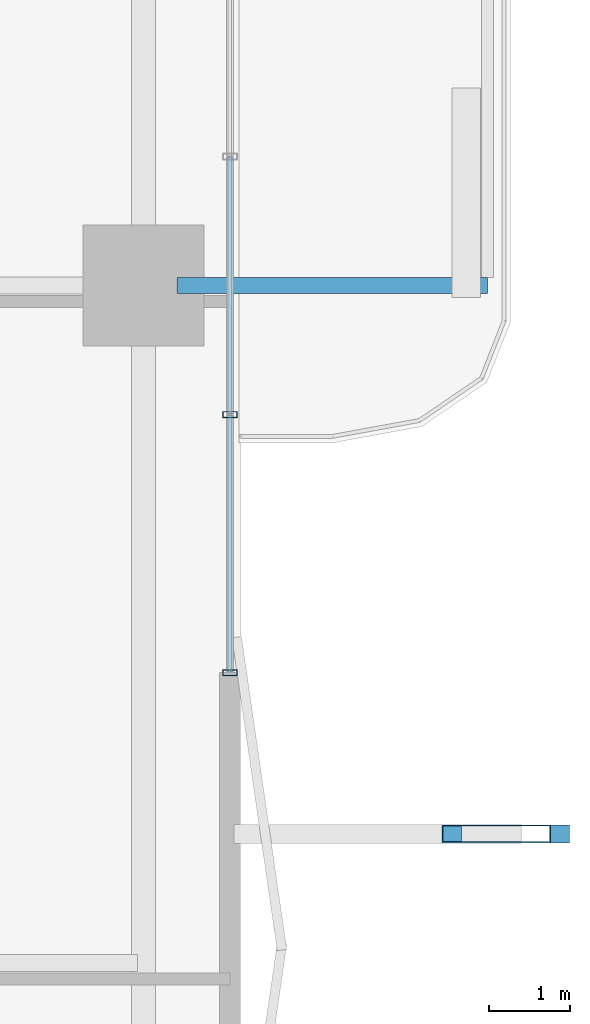
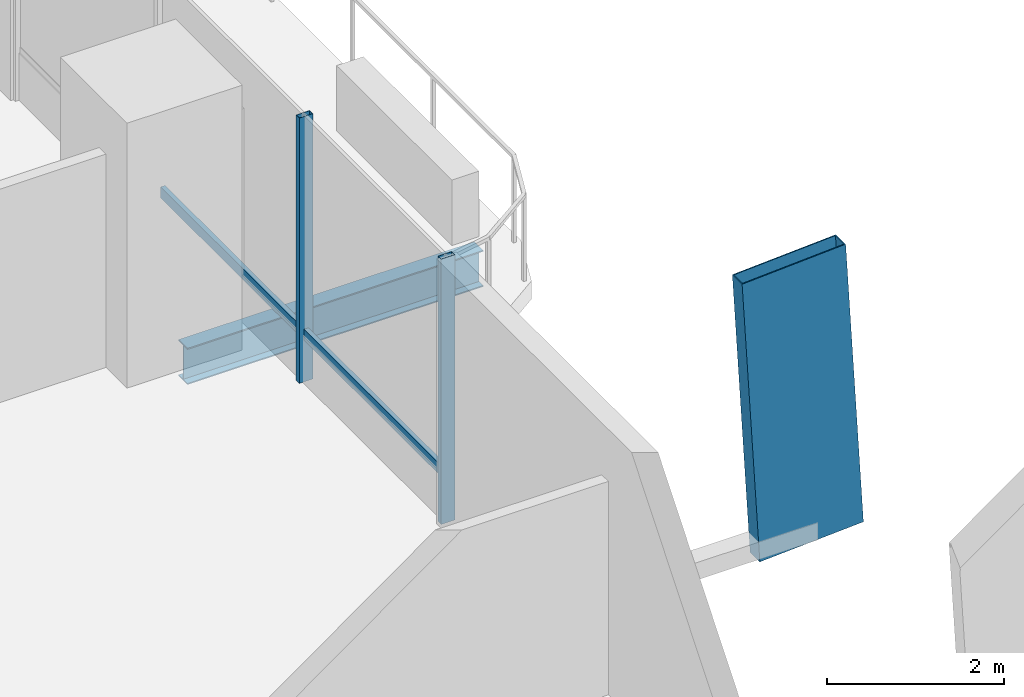
# One storey, part 8 of 24: 5 members, 1 beam, 1 element without a shape of its own.
"""IFC4 building model written with IfcOpenShell, lengths in metres."""

from ifc_helpers import new_model, si_unit, direction, frame, origin, origin_2d, place, context, subcontext, project, spatial, hollow_rectangle, i_section, extrude, material, layer, layer_set, material_profile, profile_set, type_object, element, aggregate, save


model = new_model("IFC4")

# Units and contexts
model_context = context("Model", 3, precision=1e-05, world=origin(), true_north=direction((0.0, 1.0)))
body_context = subcontext(model_context, "Body", "Model", "MODEL_VIEW")
ifc_project = project(units=[si_unit("LENGTHUNIT", "METRE"), si_unit("AREAUNIT", "SQUARE_METRE"), si_unit("VOLUMEUNIT", "CUBIC_METRE"), si_unit("PLANEANGLEUNIT", "RADIAN"), si_unit("MASSUNIT", "GRAM", prefix="KILO")], contexts=[model_context])

# Site, building, storey
site_placement = place(None, origin())
site = spatial("IfcSite", under=ifc_project, at=site_placement, CompositionType="ELEMENT")
building_placement = place(site_placement, origin())
building = spatial("IfcBuilding", under=site, at=building_placement, Name="Belovzor Exchange Tower", CompositionType="ELEMENT")
storey_placement = place(building_placement, frame((0.0, 0.0, 33.89990234375)))
storey = spatial("IfcBuildingStorey", under=building, at=storey_placement, Name="L07", CompositionType="ELEMENT", Elevation=33.89990234375)

# Member
ifc_material_1 = material(Name="Extruded Architectural Terracotta on Steel S355 Carrier", Category="masonry")
ifc_material_profile_1 = material_profile(ifc_material_1, hollow_rectangle(XDim=0.219970703125, YDim=1.35009765625, WallThickness=0.013916015625, at=origin_2d()))
ifc_profile_set_1 = profile_set([ifc_material_profile_1], Name="Extruded Architectural Terracotta on Steel S355 Carrier")
member_type_1 = type_object("IfcMemberType", Name="Base Arc Sweeping Terracotta Pylon Fin 1450", PredefinedType="USERDEFINED", material=ifc_profile_set_1)
member_1_placement = place(storey_placement, frame((60.10400390625, 22.0, -0.25), z_axis=(-0.059113970154, 0.0, 0.998251240186), x_axis=(0.0, -1.0, 0.0)))
element("IfcMember", 1, at=member_1_placement, inside=storey, type_object=member_type_1, Name="FIN-TC145 Terracotta Facade Fin L07 E2", ObjectType="FIN", PredefinedType="USERDEFINED", context=body_context, shape_type="SweptSolid", body=[
    extrude(hollow_rectangle(XDim=0.219970703125, YDim=1.35009765625, WallThickness=0.013916015625, at=origin_2d()), origin(), (0.0, 0.0, 1.0), 3.906982421875),
])

# Beam
ifc_material_2 = material(Name="Steel S355", Category="steel")
ifc_material_profile_2 = material_profile(ifc_material_2, i_section(OverallWidth=0.199951171875, OverallDepth=0.5, WebThickness=0.01025390625, FlangeThickness=0.01611328125, at=origin_2d()))
ifc_profile_set_2 = profile_set([ifc_material_profile_2], Name="Steel S355")
beam_type = type_object("IfcBeamType", Name="Planted Balcony Cantilever Beam IPE 500", PredefinedType="BEAM", material=ifc_profile_set_2)
beam_placement = place(storey_placement, frame((55.9130859375, 28.800048828125, -0.5), z_axis=(1.0, 0.0, 0.0), x_axis=(0.0, 1.0, 0.0)))
element("IfcBeam", 2, at=beam_placement, inside=storey, type_object=beam_type, Name="BC-500 Planted Balcony Cantilever Beam IPE 500", PredefinedType="BEAM", context=body_context, shape_type="SweptSolid", body=[
    extrude(i_section(OverallWidth=0.199951171875, OverallDepth=0.5, WebThickness=0.01025390625, FlangeThickness=0.01611328125, at=origin_2d()), origin(), (0.0, 0.0, 1.0), 3.849853515625),
])

# Curtain wall, members
ifc_material_3 = material(Name="Anodised Aluminium Framing", Category="aluminium")
ifc_layer = layer(ifc_material_3, 0.179931640625)
ifc_layer_set = layer_set([ifc_layer], Name="Anodised Aluminium Framing")
curtain_wall_type = type_object("IfcCurtainWallType", Name="Recessed Loggia Low-Iron Triple-Glazed Curtain Wall", PredefinedType="NOTDEFINED", material=ifc_layer_set)
curtain_wall_placement = place(storey_placement, origin())
curtain_wall = element("IfcCurtainWall", 3, at=curtain_wall_placement, inside=storey, type_object=curtain_wall_type, Name="CW3 Recessed Loggia Low-Iron Triple-Glazed Curtain Wall L07", PredefinedType="NOTDEFINED")
ifc_material_4 = material(Name="Steel S355", Category="steel")
ifc_material_profile_3 = material_profile(ifc_material_4, hollow_rectangle(XDim=0.074951171875, YDim=0.179931640625, WallThickness=0.0048828125, at=origin_2d()))
ifc_profile_set_3 = profile_set([ifc_material_profile_3], Name="Steel S355")
member_type_2 = type_object("IfcMemberType", Name="Thermally Broken Curtain Wall Mullion 180x75", PredefinedType="MULLION", material=ifc_profile_set_3)
member_2_placement = place(storey_placement, frame((56.570068359375, 27.199951171875, 0.0), z_axis=(0.0, 0.0, 1.0), x_axis=(0.0, -1.0, 0.0)))
member_2 = element("IfcMember", 4, at=member_2_placement, type_object=member_type_2, Name="CW-M180 Curtain Wall Mullion 3", PredefinedType="MULLION", context=body_context, shape_type="SweptSolid", body=[
    extrude(hollow_rectangle(XDim=0.074951171875, YDim=0.179931640625, WallThickness=0.0048828125, at=origin_2d()), origin(), (0.0, 0.0, 1.0), 3.650146484375),
])
member_3_placement = place(storey_placement, frame((56.570068359375, 24.0, 0.0), z_axis=(0.0, 0.0, 1.0), x_axis=(0.0, -1.0, 0.0)))
member_3 = element("IfcMember", 5, at=member_3_placement, type_object=member_type_2, Name="CW-M180 Curtain Wall Mullion 4", PredefinedType="MULLION", context=body_context, shape_type="SweptSolid", body=[
    extrude(hollow_rectangle(XDim=0.074951171875, YDim=0.179931640625, WallThickness=0.0048828125, at=origin_2d()), origin(), (0.0, 0.0, 1.0), 3.650146484375),
])
ifc_material_5 = material(Name="Steel S355", Category="steel")
ifc_material_profile_4 = material_profile(ifc_material_5, hollow_rectangle(XDim=0.06005859375, YDim=0.14990234375, WallThickness=0.00390625, at=origin_2d()))
ifc_profile_set_4 = profile_set([ifc_material_profile_4], Name="Steel S355")
member_type_3 = type_object("IfcMemberType", Name="Thermally Broken Curtain Wall Transom 150x60", PredefinedType="USERDEFINED", material=ifc_profile_set_4)
member_4_placement = place(storey_placement, frame((56.570068359375, 30.39208984375, 0.650146484375), z_axis=(0.0, -1.0, 0.0), x_axis=(1.0, 0.0, 0.0)))
member_4 = element("IfcMember", 6, at=member_4_placement, type_object=member_type_3, Name="CW-T150 Curtain Wall Transom 2", ObjectType="TRANSOM", PredefinedType="USERDEFINED", context=body_context, shape_type="SweptSolid", body=[
    extrude(hollow_rectangle(XDim=0.06005859375, YDim=0.14990234375, WallThickness=0.00390625, at=origin_2d()), origin(), (0.0, 0.0, 1.0), 3.18408203125),
])
member_5_placement = place(storey_placement, frame((56.570068359375, 27.19189453125, 0.650146484375), z_axis=(0.0, -1.0, 0.0), x_axis=(1.0, 0.0, 0.0)))
member_5 = element("IfcMember", 7, at=member_5_placement, type_object=member_type_3, Name="CW-T150 Curtain Wall Transom 3", ObjectType="TRANSOM", PredefinedType="USERDEFINED", context=body_context, shape_type="SweptSolid", body=[
    extrude(hollow_rectangle(XDim=0.06005859375, YDim=0.14990234375, WallThickness=0.00390625, at=origin_2d()), origin(), (0.0, 0.0, 1.0), 3.183837890625),
])
aggregate(curtain_wall, [member_2, member_3, member_4, member_5])

save(model, "model.ifc")
